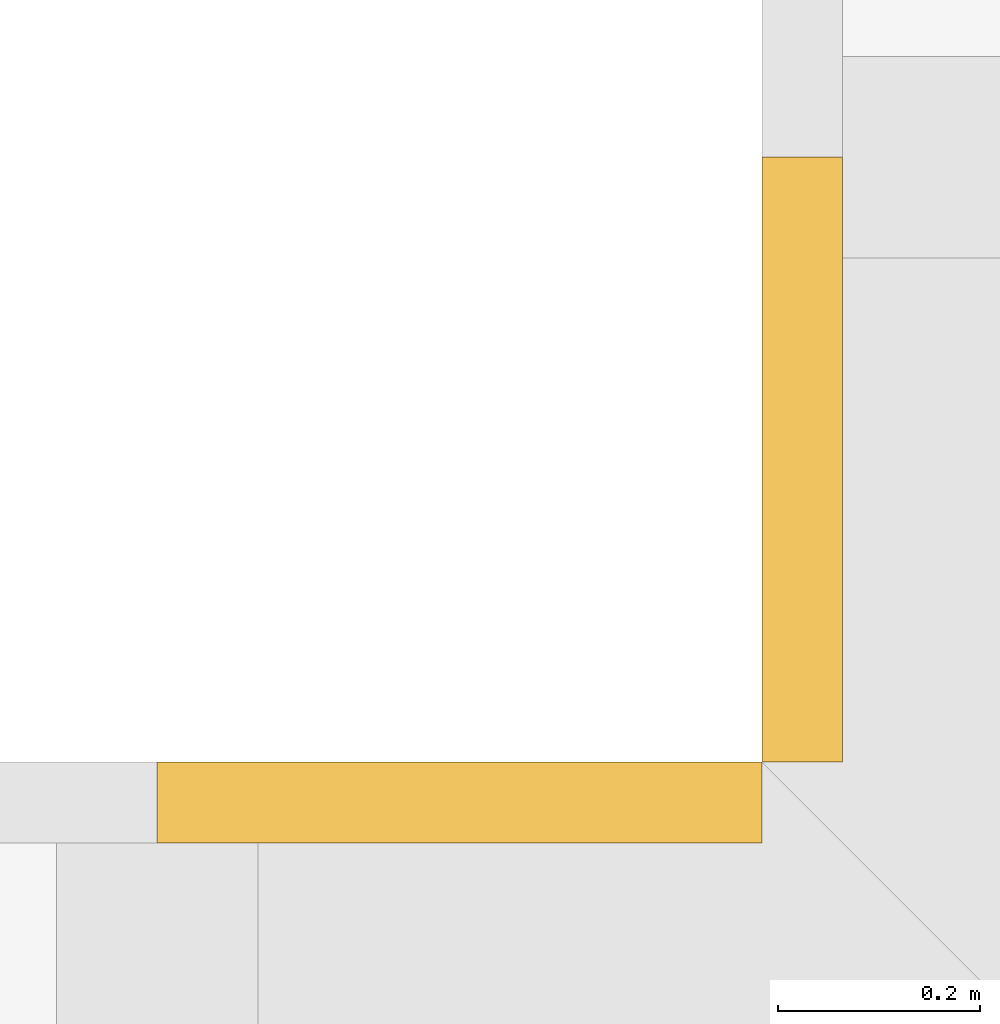
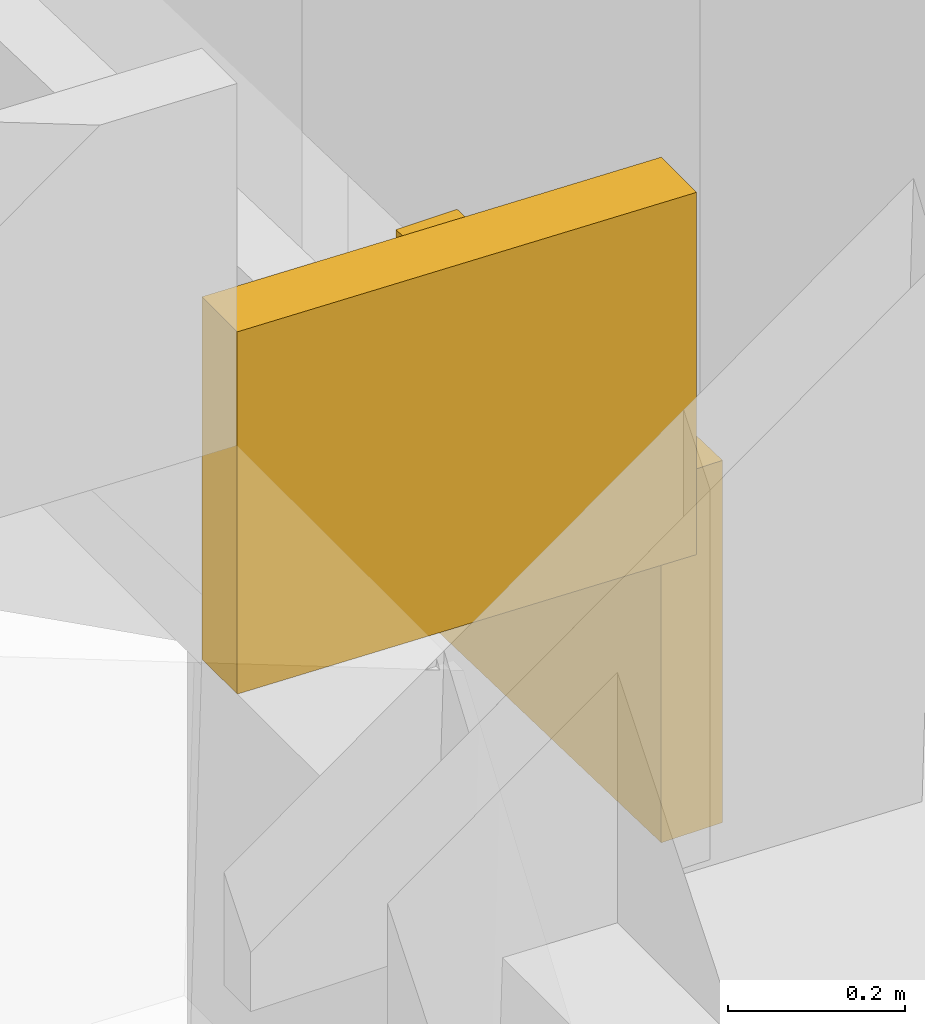
# One storey, part 29 of 30: 2 coverings.
"""IFC4 building model written with IfcOpenShell, lengths in metres."""

from ifc_helpers import new_model, si_unit, direction, frame, origin, place, context, subcontext, project, spatial, polyline, outline, extrude, material, layer, layer_set, type_object, element, save


model = new_model("IFC4")

# Units and contexts
model_context = context("Model", 3, precision=1e-05, world=origin(), true_north=direction((0.0, 1.0)))
body_context = subcontext(model_context, "Body", "Model", "MODEL_VIEW")
ifc_project = project(units=[si_unit("LENGTHUNIT", "METRE"), si_unit("AREAUNIT", "SQUARE_METRE"), si_unit("VOLUMEUNIT", "CUBIC_METRE"), si_unit("PLANEANGLEUNIT", "RADIAN"), si_unit("MASSUNIT", "GRAM", prefix="KILO")], contexts=[model_context])

# Site, building, storey
site_placement = place(None, origin())
site = spatial("IfcSite", under=ifc_project, at=site_placement, CompositionType="ELEMENT")
building_placement = place(site_placement, origin())
building = spatial("IfcBuilding", under=site, at=building_placement, Name="Saffron Gate Tower", CompositionType="ELEMENT")
storey_placement = place(building_placement, frame((0.0, 0.0, 158.25)))
storey = spatial("IfcBuildingStorey", under=building, at=storey_placement, Name="L38", CompositionType="ELEMENT", Elevation=158.25)

# Coverings
ifc_material = material(Name="Timber, thermally modified ash", Category="wood")
ifc_layer = layer(ifc_material, 0.080078125)
ifc_layer_set = layer_set([ifc_layer], Name="LD2 ledge planter trough")
covering_type = type_object("IfcCoveringType", Name="LD2 ledge planter trough", PredefinedType="CLADDING", material=ifc_layer_set)
covering_1_placement = place(storey_placement, frame((50.39990234375, 73.800048828125, 2.56591796875), z_axis=(-1.0, 0.0, 0.0), x_axis=(0.0, -0.999583081391, 0.028873229772)))
element("IfcCovering", 1, at=covering_1_placement, inside=storey, type_object=covering_type, Name="LEDGE planter trough", PredefinedType="CLADDING", context=body_context, shape_type="SweptSolid", body=[
    extrude(outline(polyline([(0.0, 0.0), (0.6003479524834376, -3.469446951953614e-18), (0.6147845673692678, 0.4997915406953566), (0.014436614885830073, 0.4997915406953566), (0.0, 0.0)])), origin(), (0.0, 0.0, -1.0), 0.080078125),
])
covering_2_placement = place(storey_placement, frame((50.39990234375, 73.199951171875, 3.02978515625), z_axis=(0.0, 1.0, 0.0), x_axis=(-0.999582742162, 0.0, 0.028884971385)))
element("IfcCovering", 2, at=covering_2_placement, inside=storey, type_object=covering_type, Name="LEDGE planter trough", PredefinedType="CLADDING", context=body_context, shape_type="SweptSolid", body=[
    extrude(outline(polyline([(0.0, 0.0), (0.6001039136866089, 0.0), (0.614546399379222, 0.4997913710809928), (0.014442485692613144, 0.49979137108099286), (0.0, 0.0)])), origin(), (0.0, 0.0, -1.0), 0.080078125),
])

save(model, "model.ifc")
